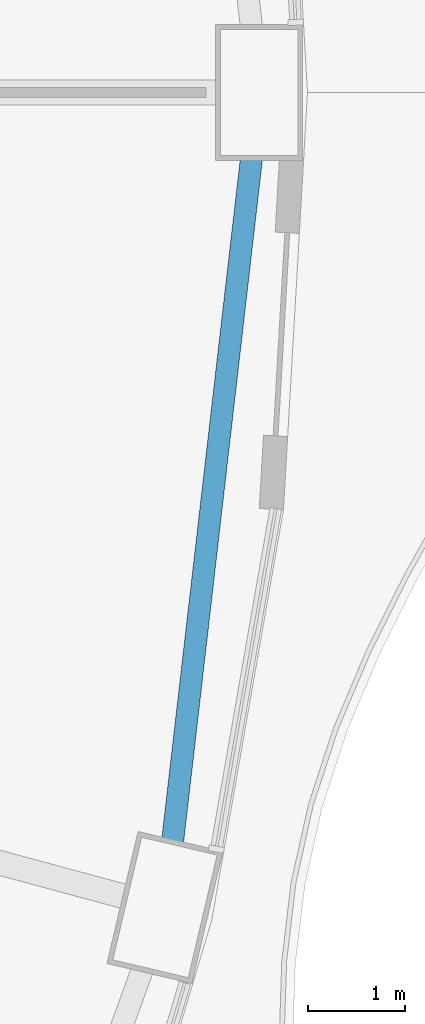
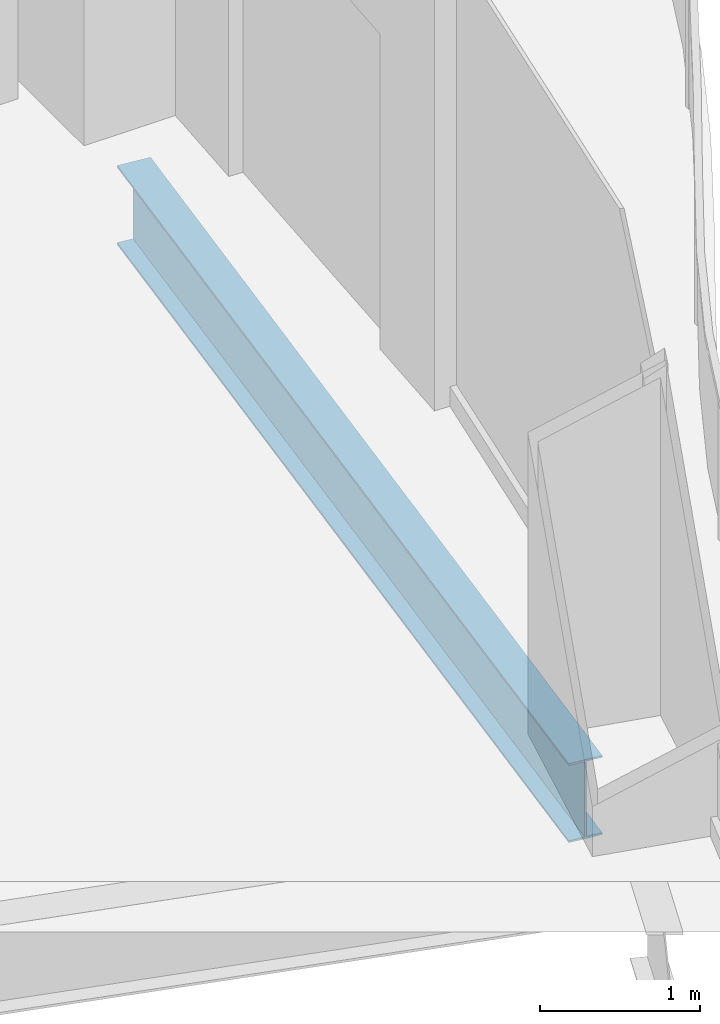
# One storey, part 6 of 22: 1 beam.
"""IFC4 building model written with IfcOpenShell, lengths in metres."""

from ifc_helpers import new_model, si_unit, direction, frame, origin, origin_2d, place, context, subcontext, project, spatial, i_section, extrude, material, material_profile, profile_set, type_object, element, save


model = new_model("IFC4")

# Units and contexts
model_context = context("Model", 3, precision=1e-05, world=origin(), true_north=direction((0.0, 1.0)))
body_context = subcontext(model_context, "Body", "Model", "MODEL_VIEW")
ifc_project = project(units=[si_unit("LENGTHUNIT", "METRE"), si_unit("AREAUNIT", "SQUARE_METRE"), si_unit("VOLUMEUNIT", "CUBIC_METRE"), si_unit("PLANEANGLEUNIT", "RADIAN"), si_unit("MASSUNIT", "GRAM", prefix="KILO")], contexts=[model_context])

# Site, building, storey
site_placement = place(None, origin())
site = spatial("IfcSite", under=ifc_project, at=site_placement, CompositionType="ELEMENT")
building_placement = place(site_placement, origin())
building = spatial("IfcBuilding", under=site, at=building_placement, Name="Nagisa Residences", CompositionType="ELEMENT")
storey_placement = place(building_placement, frame((0.0, 0.0, 52.89990234375)))
storey = spatial("IfcBuildingStorey", under=building, at=storey_placement, Name="L12", CompositionType="ELEMENT", Elevation=52.89990234375)

# Beam
ifc_material = material(Name="Steel ASTM A572 Gr 50", Category="steel")
ifc_material_profile = material_profile(ifc_material, i_section(OverallWidth=0.22802734375, OverallDepth=0.60302734375, WebThickness=0.010498046875, FlangeThickness=0.014892578125, at=origin_2d()), Name="W610x101")
ifc_profile_set = profile_set([ifc_material_profile], Name="Steel ASTM A572 Gr 50")
beam_type = type_object("IfcBeamType", Name="Perimeter ring beam W610x101", PredefinedType="BEAM", material=ifc_profile_set)
beam_placement = place(storey_placement, frame((31.20751953125, -7.7314453125, -0.5615234375), z_axis=(0.114673717321, 0.993403210462, 0.0), x_axis=(-0.993403210462, 0.114673717321, 0.0)))
element("IfcBeam", 1, at=beam_placement, inside=storey, type_object=beam_type, Name="beam:L12:pb24", PredefinedType="BEAM", context=body_context, shape_type="SweptSolid", body=[
    extrude(i_section(OverallWidth=0.22802734375, OverallDepth=0.60302734375, WebThickness=0.010498046875, FlangeThickness=0.014892578125, at=origin_2d()), origin(), (0.0, 0.0, 1.0), 7.09814453125),
])

save(model, "model.ifc")
